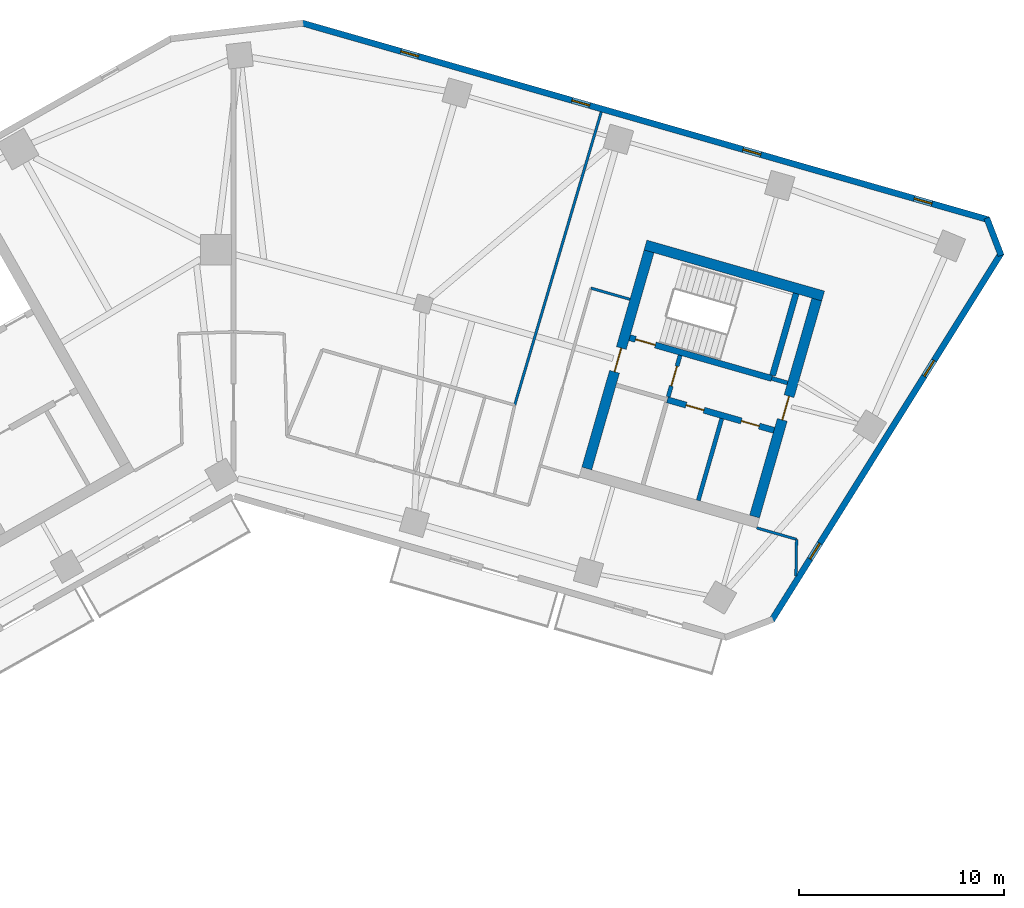
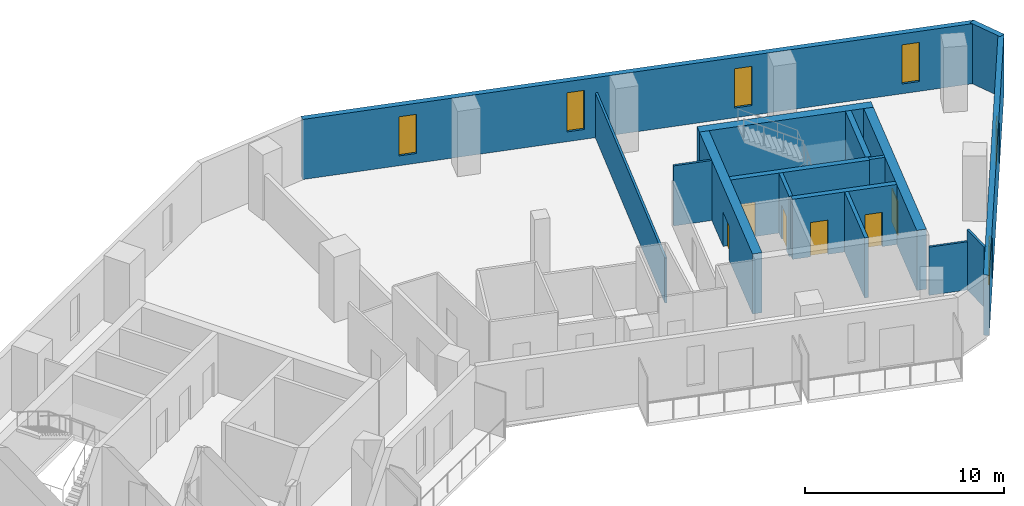
# One storey, part 6 of 9: 16 walls, 6 doors, 6 windows, 12 openings.
"""IFC4 building model written with IfcOpenShell, lengths in metres."""

from ifc_helpers import new_model, si_unit, direction, frame, frame_2d, origin, place, context, subcontext, project, spatial, rectangle, extrude, material, layer, layer_set, type_object, element, fill, save


model = new_model("IFC4")

# Units and contexts
model_context = context("Model", 3, precision=1e-05, world=origin(), true_north=direction((0.0, 1.0)))
body_context = subcontext(model_context, "Body", "Model", "MODEL_VIEW")
ifc_project = project(units=[si_unit("LENGTHUNIT", "METRE"), si_unit("AREAUNIT", "SQUARE_METRE"), si_unit("VOLUMEUNIT", "CUBIC_METRE"), si_unit("PLANEANGLEUNIT", "RADIAN"), si_unit("MASSUNIT", "GRAM", prefix="KILO")], contexts=[model_context])

# Site, building, storey
site_placement = place(None, origin())
site = spatial("IfcSite", under=ifc_project, at=site_placement, CompositionType="ELEMENT")
building_placement = place(site_placement, origin())
building = spatial("IfcBuilding", under=site, at=building_placement, Name="Binnacle Exchange Tower", CompositionType="ELEMENT")
storey_placement = place(building_placement, frame((0.0, 0.0, 174.89990234375)))
storey = spatial("IfcBuildingStorey", under=building, at=storey_placement, Name="L37", CompositionType="ELEMENT", Elevation=174.89990234375)

# Wall
ifc_material_1 = material(Name="Gypsum partition fire rated")
ifc_layer_1 = layer(ifc_material_1, 0.199951171875)
ifc_layer_set_1 = layer_set([ifc_layer_1], Name="Core partition 200")
wall_type_1 = type_object("IfcWallType", Name="Core partition 200", PredefinedType="PARTITIONING", material=ifc_layer_set_1)
wall_1_placement = place(storey_placement, frame((22.63720703125, 47.787353515625, 0.0), z_axis=(0.0, 0.0, 1.0), x_axis=(0.275614546295, 0.961268236171, 0.0)))
element("IfcWall", 1, at=wall_1_placement, inside=storey, type_object=wall_type_1, Name="Core wall CRWD10", PredefinedType="PARTITIONING", context=body_context, shape_type="SweptSolid", body=[
    extrude(rectangle(XDim=4.14990234375, YDim=0.199951171875, at=frame_2d((2.074951171875, 0.0))), origin(), (0.0, 0.0, 1.0), 3.68017578125),
])

# Wall, openings, doors
ifc_material_2 = material(Name="Concrete C70/85", Category="concrete")
ifc_layer_2 = layer(ifc_material_2, 0.300048828125)
ifc_layer_set_2 = layer_set([ifc_layer_2], Name="Core wall - front 300")
wall_type_2 = type_object("IfcWallType", Name="Core wall - front 300", PredefinedType="SOLIDWALL", material=ifc_layer_set_2)
wall_2_placement = place(storey_placement, frame((21.130859375, 52.6923828125, 0.0), z_axis=(0.0, 0.0, 1.0), x_axis=(0.961271043721, -0.27560475414, 0.0)))
wall_2 = element("IfcWall", 2, at=wall_2_placement, inside=storey, type_object=wall_type_2, Name="Core wall CRWD3", PredefinedType="SOLIDWALL", context=body_context, shape_type="SweptSolid", body=[
    extrude(rectangle(XDim=5.400146484375, YDim=0.300048828125, at=frame_2d((2.7001953125, 0.0))), origin(), (0.0, 0.0, 1.0), 3.68017578125),
])
opening_1_placement = place(wall_2_placement, frame((0.949951171875, 0.0, 0.0)))
opening_1 = element("IfcOpeningElement", 3, at=opening_1_placement, cuts=wall_2, Name="Opening DD10", PredefinedType="OPENING", context=body_context, shape_type="SweptSolid", body=[
    extrude(rectangle(XDim=0.89990234375, YDim=2.10009765625, at=frame_2d((0.449951171875, 1.050048828125))), frame((0.0, 0.159912109375, 0.0), z_axis=(0.0, -1.0, 0.0), x_axis=(1.0, 0.0, 0.0)), (0.0, 0.0, 1.0), 0.320068359375),
])
opening_2_placement = place(wall_2_placement, frame((3.75, 0.0, 0.0)))
opening_2 = element("IfcOpeningElement", 4, at=opening_2_placement, cuts=wall_2, Name="Opening DD11", PredefinedType="OPENING", context=body_context, shape_type="SweptSolid", body=[
    extrude(rectangle(XDim=0.89990234375, YDim=2.10009765625, at=frame_2d((0.449951171875, 1.050048828125))), frame((0.0, 0.159912109375, 0.0), z_axis=(0.0, -1.0, 0.0), x_axis=(1.0, 0.0, 0.0)), (0.0, 0.0, 1.0), 0.320068359375),
])
ifc_material_3 = material(Name="Steel door leaf", Category="steel")
door_type_1 = type_object("IfcDoorType", Name="Fire door 900", OperationType="NOTDEFINED", PredefinedType="DOOR", material=ifc_material_3)
door_1_placement = place(opening_1_placement, frame((0.89990234375, 0.0, 0.0), z_axis=(0.0, 0.0, 1.0), x_axis=(-1.0, 0.0, 0.0)))
door_1 = element("IfcDoor", 5, at=door_1_placement, inside=storey, type_object=door_type_1, Name="Core room door IT STORE", OperationType="SINGLE_SWING_RIGHT", OverallHeight=2.10009765625, OverallWidth=0.89990234375, PredefinedType="DOOR", context=body_context, shape_type="SweptSolid", body=[
    extrude(rectangle(XDim=0.89990234375, YDim=2.10009765625, at=frame_2d((0.449951171875, 1.050048828125))), frame((0.0, 0.02490234375, 0.0), z_axis=(0.0, -1.0, 0.0), x_axis=(1.0, 0.0, 0.0)), (0.0, 0.0, 1.0), 0.050048828125),
])
fill(opening_1, door_1)
door_2_placement = place(opening_2_placement, frame((0.89990234375, 0.0, 0.0), z_axis=(0.0, 0.0, 1.0), x_axis=(-1.0, 0.0, 0.0)))
door_2 = element("IfcDoor", 6, at=door_2_placement, inside=storey, type_object=door_type_1, Name="Core room door UPS CUPBOARD", OperationType="SINGLE_SWING_LEFT", OverallHeight=2.10009765625, OverallWidth=0.89990234375, PredefinedType="DOOR", context=body_context, shape_type="SweptSolid", body=[
    extrude(rectangle(XDim=0.89990234375, YDim=2.10009765625, at=frame_2d((0.449951171875, 1.050048828125))), frame((0.0, 0.02490234375, 0.0), z_axis=(0.0, -1.0, 0.0), x_axis=(1.0, 0.0, 0.0)), (0.0, 0.0, 1.0), 0.050048828125),
])
fill(opening_2, door_2)

# Wall
ifc_layer_3 = layer(ifc_material_2, 0.5)
ifc_layer_set_3 = layer_set([ifc_layer_3], Name="Core wall - outer 500")
wall_type_3 = type_object("IfcWallType", Name="Core wall - outer 500", PredefinedType="SOLIDWALL", material=ifc_layer_set_3)
wall_3_placement = place(storey_placement, frame((20.066650390625, 60.227783203125, 0.0), z_axis=(0.0, 0.0, 1.0), x_axis=(0.96126248289, -0.275634611374, 0.0)))
element("IfcWall", 7, at=wall_3_placement, inside=storey, type_object=wall_type_3, Name="Core wall CRWD6", PredefinedType="SOLIDWALL", context=body_context, shape_type="SweptSolid", body=[
    extrude(rectangle(XDim=9.0, YDim=0.5, at=frame_2d((4.5, 0.0))), origin(), (0.0, 0.0, 1.0), 3.68017578125),
])

# Wall, opening, door
wall_4_placement = place(storey_placement, frame((17.2060546875, 49.344482421875, 0.0), z_axis=(0.0, 0.0, 1.0), x_axis=(0.275632651182, 0.961263044958, 0.0)))
wall_4 = element("IfcWall", 8, at=wall_4_placement, inside=storey, type_object=wall_type_3, Name="Core wall CRWD7", PredefinedType="SOLIDWALL", context=body_context, shape_type="SweptSolid", body=[
    extrude(rectangle(XDim=11.0, YDim=0.5, at=frame_2d((5.5, 0.0))), origin(), (0.0, 0.0, 1.0), 3.68017578125),
])
opening_3_placement = place(wall_4_placement, frame((4.89990234375, 0.0, 0.0)))
opening_3 = element("IfcOpeningElement", 9, at=opening_3_placement, cuts=wall_4, Name="Opening DD5", PredefinedType="OPENING", context=body_context, shape_type="SweptSolid", body=[
    extrude(rectangle(XDim=1.199951171875, YDim=2.10009765625, at=frame_2d((0.60009765625, 1.050048828125))), frame((0.0, 0.260009765625, 0.0), z_axis=(0.0, -1.0, 0.0), x_axis=(1.0, 0.0, 0.0)), (0.0, 0.0, 1.0), 0.52001953125),
])
door_type_2 = type_object("IfcDoorType", Name="Fire door 1200", OperationType="NOTDEFINED", PredefinedType="DOOR", material=ifc_material_3)
door_3_placement = place(opening_3_placement, origin())
door_3 = element("IfcDoor", 10, at=door_3_placement, inside=storey, type_object=door_type_2, Name="Vestibule exit door VEST-W", OperationType="SINGLE_SWING_LEFT", OverallHeight=2.10009765625, OverallWidth=1.199951171875, PredefinedType="DOOR", context=body_context, shape_type="SweptSolid", body=[
    extrude(rectangle(XDim=1.199951171875, YDim=2.10009765625, at=frame_2d((0.60009765625, 1.050048828125))), frame((0.0, 0.02490234375, 0.0), z_axis=(0.0, -1.0, 0.0), x_axis=(1.0, 0.0, 0.0)), (0.0, 0.0, 1.0), 0.050048828125),
])
fill(opening_3, door_3)

wall_5_placement = place(storey_placement, frame((25.376708984375, 47.001708984375, 0.0), z_axis=(0.0, 0.0, 1.0), x_axis=(0.275632651182, 0.961263044958, 0.0)))
wall_5 = element("IfcWall", 11, at=wall_5_placement, inside=storey, type_object=wall_type_3, Name="Core wall CRWD12", PredefinedType="SOLIDWALL", context=body_context, shape_type="SweptSolid", body=[
    extrude(rectangle(XDim=11.0, YDim=0.5, at=frame_2d((5.5, 0.0))), origin(), (0.0, 0.0, 1.0), 3.68017578125),
])
opening_4_placement = place(wall_5_placement, frame((4.89990234375, 0.0, 0.0)))
opening_4 = element("IfcOpeningElement", 12, at=opening_4_placement, cuts=wall_5, Name="Opening DD6", PredefinedType="OPENING", context=body_context, shape_type="SweptSolid", body=[
    extrude(rectangle(XDim=1.199951171875, YDim=2.10009765625, at=frame_2d((0.60009765625, 1.050048828125))), frame((0.0, 0.260009765625, 0.0), z_axis=(0.0, -1.0, 0.0), x_axis=(1.0, 0.0, 0.0)), (0.0, 0.0, 1.0), 0.52001953125),
])
door_4_placement = place(opening_4_placement, frame((1.199951171875, 0.0, 0.0), z_axis=(0.0, 0.0, 1.0), x_axis=(-1.0, 0.0, 0.0)))
door_4 = element("IfcDoor", 13, at=door_4_placement, inside=storey, type_object=door_type_2, Name="Core passage exit door", OperationType="SINGLE_SWING_RIGHT", OverallHeight=2.10009765625, OverallWidth=1.199951171875, PredefinedType="DOOR", context=body_context, shape_type="SweptSolid", body=[
    extrude(rectangle(XDim=1.199951171875, YDim=2.10009765625, at=frame_2d((0.60009765625, 1.050048828125))), frame((0.0, 0.02490234375, 0.0), z_axis=(0.0, -1.0, 0.0), x_axis=(1.0, 0.0, 0.0)), (0.0, 0.0, 1.0), 0.050048828125),
])
fill(opening_4, door_4)

ifc_layer_4 = layer(ifc_material_2, 0.300048828125)
ifc_layer_set_4 = layer_set([ifc_layer_4], Name="Core wall - stair 300")
wall_type_4 = type_object("IfcWallType", Name="Core wall - stair 300", PredefinedType="SOLIDWALL", material=ifc_layer_set_4)
wall_6_placement = place(storey_placement, frame((19.293212890625, 55.71630859375, 0.0), z_axis=(0.0, 0.0, 1.0), x_axis=(0.96125862491, -0.275648065539, 0.0)))
wall_6 = element("IfcWall", 14, at=wall_6_placement, inside=storey, type_object=wall_type_4, Name="Core wall CRWD4", PredefinedType="SOLIDWALL", context=body_context, shape_type="SweptSolid", body=[
    extrude(rectangle(XDim=7.199951171875, YDim=0.300048828125, at=frame_2d((3.60009765625, 0.0))), origin(), (0.0, 0.0, 1.0), 3.68017578125),
])
opening_5_placement = place(wall_6_placement, frame((0.300048828125, 0.0, 0.0)))
opening_5 = element("IfcOpeningElement", 15, at=opening_5_placement, cuts=wall_6, Name="Opening DD1", PredefinedType="OPENING", context=body_context, shape_type="SweptSolid", body=[
    extrude(rectangle(XDim=1.0, YDim=2.10009765625, at=frame_2d((0.5, 1.050048828125))), frame((0.0, 0.159912109375, 0.0), z_axis=(0.0, -1.0, 0.0), x_axis=(1.0, 0.0, 0.0)), (0.0, 0.0, 1.0), 0.320068359375),
])
door_type_3 = type_object("IfcDoorType", Name="Fire door 1000", OperationType="NOTDEFINED", PredefinedType="DOOR", material=ifc_material_3)
door_5_placement = place(opening_5_placement, origin())
door_5 = element("IfcDoor", 16, at=door_5_placement, inside=storey, type_object=door_type_3, Name="Stair door ST-D1", OperationType="SINGLE_SWING_LEFT", OverallHeight=2.10009765625, OverallWidth=1.0, PredefinedType="DOOR", context=body_context, shape_type="SweptSolid", body=[
    extrude(rectangle(XDim=1.0, YDim=2.10009765625, at=frame_2d((0.5, 1.050048828125))), frame((0.0, 0.02490234375, 0.0), z_axis=(0.0, -1.0, 0.0), x_axis=(1.0, 0.0, 0.0)), (0.0, 0.0, 1.0), 0.050048828125),
])
fill(opening_5, door_5)

# Wall
wall_7_placement = place(storey_placement, frame((26.255615234375, 53.875732421875, 0.0), z_axis=(0.0, 0.0, 1.0), x_axis=(0.275614546295, 0.961268236171, 0.0)))
element("IfcWall", 17, at=wall_7_placement, inside=storey, type_object=wall_type_4, Name="Core wall CRWD11", PredefinedType="SOLIDWALL", context=body_context, shape_type="SweptSolid", body=[
    extrude(rectangle(XDim=4.14990234375, YDim=0.300048828125, at=frame_2d((2.074951171875, 0.0))), origin(), (0.0, 0.0, 1.0), 3.68017578125),
])

# Wall, openings, windows
ifc_material_4 = material(Name="Bronze aluminium cladding", Category="aluminium")
ifc_layer_5 = layer(ifc_material_4, 0.300048828125)
ifc_layer_set_5 = layer_set([ifc_layer_5], Name="External wall - spandrel 300")
wall_type_5 = type_object("IfcWallType", Name="External wall - spandrel 300", PredefinedType="STANDARD", material=ifc_layer_set_5)
wall_8_placement = place(storey_placement, frame((37.39892578125, 59.850830078125, 0.0), z_axis=(0.0, 0.0, 1.0), x_axis=(-0.529919986982, -0.848047644532, 0.0)))
wall_8 = element("IfcWall", 18, at=wall_8_placement, inside=storey, type_object=wall_type_5, Name="External wall EW-G04 L37", PredefinedType="STANDARD", context=body_context, shape_type="SweptSolid", body=[
    extrude(rectangle(XDim=21.125, YDim=0.300048828125, at=frame_2d((10.5625, 0.0))), origin(), (0.0, 0.0, 1.0), 3.68017578125),
])
opening_6_placement = place(wall_8_placement, frame((16.687255859375, 0.0, 0.60009765625)))
opening_6 = element("IfcOpeningElement", 19, at=opening_6_placement, cuts=wall_8, Name="Opening WS3", PredefinedType="OPENING", context=body_context, shape_type="SweptSolid", body=[
    extrude(rectangle(XDim=0.89990234375, YDim=2.39990234375, at=frame_2d((0.449951171875, 1.199951171875))), frame((0.0, 0.159912109375, 0.0), z_axis=(0.0, -1.0, 0.0), x_axis=(1.0, 0.0, 0.0)), (0.0, 0.0, 1.0), 0.320068359375),
])
opening_7_placement = place(wall_8_placement, frame((6.187255859375, 0.0, 0.60009765625)))
opening_7 = element("IfcOpeningElement", 20, at=opening_7_placement, cuts=wall_8, Name="Opening WS3", PredefinedType="OPENING", context=body_context, shape_type="SweptSolid", body=[
    extrude(rectangle(XDim=0.89990234375, YDim=2.39990234375, at=frame_2d((0.449951171875, 1.199951171875))), frame((0.0, 0.159912109375, 0.0), z_axis=(0.0, -1.0, 0.0), x_axis=(1.0, 0.0, 0.0)), (0.0, 0.0, 1.0), 0.320068359375),
])
ifc_material_5 = material(Name="Bronze anodised aluminium frame", Category="aluminium")
window_type = type_object("IfcWindowType", Name="WS3 WINDOW 900x2400", PartitioningType="SINGLE_PANEL", PredefinedType="WINDOW", material=ifc_material_5)
window_1_placement = place(opening_6_placement, origin())
window_1 = element("IfcWindow", 21, at=window_1_placement, inside=storey, type_object=window_type, Name="Window WS3 L37", OverallHeight=2.39990234375, OverallWidth=0.89990234375, PartitioningType="SINGLE_PANEL", PredefinedType="WINDOW", context=body_context, shape_type="SweptSolid", body=[
    extrude(rectangle(XDim=0.89990234375, YDim=2.39990234375, at=frame_2d((0.449951171875, 1.199951171875))), frame((0.0, 0.030029296875, 0.0), z_axis=(0.0, -1.0, 0.0), x_axis=(1.0, 0.0, 0.0)), (0.0, 0.0, 1.0), 0.06005859375),
])
fill(opening_6, window_1)
window_2_placement = place(opening_7_placement, origin())
window_2 = element("IfcWindow", 22, at=window_2_placement, inside=storey, type_object=window_type, Name="Window WS3 L37", OverallHeight=2.39990234375, OverallWidth=0.89990234375, PartitioningType="SINGLE_PANEL", PredefinedType="WINDOW", context=body_context, shape_type="SweptSolid", body=[
    extrude(rectangle(XDim=0.89990234375, YDim=2.39990234375, at=frame_2d((0.449951171875, 1.199951171875))), frame((0.0, 0.030029296875, 0.0), z_axis=(0.0, -1.0, 0.0), x_axis=(1.0, 0.0, 0.0)), (0.0, 0.0, 1.0), 0.06005859375),
])
fill(opening_7, window_2)

# Wall
wall_9_placement = place(storey_placement, frame((36.685546875, 61.542724609375, 0.0), z_axis=(0.0, 0.0, 1.0), x_axis=(0.358284408222, -0.933612490718, 0.0)))
element("IfcWall", 23, at=wall_9_placement, inside=storey, type_object=wall_type_5, Name="External wall EW-G05 L37", PredefinedType="STANDARD", context=body_context, shape_type="SweptSolid", body=[
    extrude(rectangle(XDim=1.955078125, YDim=0.300048828125, at=frame_2d((0.9775390625, 0.0))), origin(), (0.0, 0.0, 1.0), 3.68017578125),
])

# Wall, openings, windows
wall_10_placement = place(storey_placement, frame((3.33544921875, 71.043701171875, 0.0), z_axis=(0.0, 0.0, 1.0), x_axis=(0.961261395375, -0.275638404002, 0.0)))
wall_10 = element("IfcWall", 24, at=wall_10_placement, inside=storey, type_object=wall_type_5, Name="External wall EW-G06 L37", PredefinedType="STANDARD", context=body_context, shape_type="SweptSolid", body=[
    extrude(rectangle(XDim=34.796630859375, YDim=0.300048828125, at=frame_2d((17.3984375, 0.0))), origin(), (0.0, 0.0, 1.0), 3.68017578125),
])
opening_8_placement = place(wall_10_placement, frame((31.01953125, 0.0, 0.60009765625)))
opening_8 = element("IfcOpeningElement", 25, at=opening_8_placement, cuts=wall_10, Name="Opening WS3", PredefinedType="OPENING", context=body_context, shape_type="SweptSolid", body=[
    extrude(rectangle(XDim=0.89990234375, YDim=2.39990234375, at=frame_2d((0.449951171875, 1.199951171875))), frame((0.0, 0.159912109375, 0.0), z_axis=(0.0, -1.0, 0.0), x_axis=(1.0, 0.0, 0.0)), (0.0, 0.0, 1.0), 0.320068359375),
])
opening_9_placement = place(wall_10_placement, frame((22.3466796875, 0.0, 0.60009765625)))
opening_9 = element("IfcOpeningElement", 26, at=opening_9_placement, cuts=wall_10, Name="Opening WS3", PredefinedType="OPENING", context=body_context, shape_type="SweptSolid", body=[
    extrude(rectangle(XDim=0.89990234375, YDim=2.39990234375, at=frame_2d((0.449951171875, 1.199951171875))), frame((0.0, 0.159912109375, 0.0), z_axis=(0.0, -1.0, 0.0), x_axis=(1.0, 0.0, 0.0)), (0.0, 0.0, 1.0), 0.320068359375),
])
opening_10_placement = place(wall_10_placement, frame((13.673583984375, 0.0, 0.60009765625)))
opening_10 = element("IfcOpeningElement", 27, at=opening_10_placement, cuts=wall_10, Name="Opening WS3", PredefinedType="OPENING", context=body_context, shape_type="SweptSolid", body=[
    extrude(rectangle(XDim=0.89990234375, YDim=2.39990234375, at=frame_2d((0.449951171875, 1.199951171875))), frame((0.0, 0.159912109375, 0.0), z_axis=(0.0, -1.0, 0.0), x_axis=(1.0, 0.0, 0.0)), (0.0, 0.0, 1.0), 0.320068359375),
])
opening_11_placement = place(wall_10_placement, frame((5.000732421875, 0.0, 0.60009765625)))
opening_11 = element("IfcOpeningElement", 28, at=opening_11_placement, cuts=wall_10, Name="Opening WS3", PredefinedType="OPENING", context=body_context, shape_type="SweptSolid", body=[
    extrude(rectangle(XDim=0.89990234375, YDim=2.39990234375, at=frame_2d((0.449951171875, 1.199951171875))), frame((0.0, 0.159912109375, 0.0), z_axis=(0.0, -1.0, 0.0), x_axis=(1.0, 0.0, 0.0)), (0.0, 0.0, 1.0), 0.320068359375),
])
window_3_placement = place(opening_8_placement, origin())
window_3 = element("IfcWindow", 29, at=window_3_placement, inside=storey, type_object=window_type, Name="Window WS3 L37", OverallHeight=2.39990234375, OverallWidth=0.89990234375, PartitioningType="SINGLE_PANEL", PredefinedType="WINDOW", context=body_context, shape_type="SweptSolid", body=[
    extrude(rectangle(XDim=0.89990234375, YDim=2.39990234375, at=frame_2d((0.449951171875, 1.199951171875))), frame((0.0, 0.030029296875, 0.0), z_axis=(0.0, -1.0, 0.0), x_axis=(1.0, 0.0, 0.0)), (0.0, 0.0, 1.0), 0.06005859375),
])
fill(opening_8, window_3)
window_4_placement = place(opening_9_placement, origin())
window_4 = element("IfcWindow", 30, at=window_4_placement, inside=storey, type_object=window_type, Name="Window WS3 L37", OverallHeight=2.39990234375, OverallWidth=0.89990234375, PartitioningType="SINGLE_PANEL", PredefinedType="WINDOW", context=body_context, shape_type="SweptSolid", body=[
    extrude(rectangle(XDim=0.89990234375, YDim=2.39990234375, at=frame_2d((0.449951171875, 1.199951171875))), frame((0.0, 0.030029296875, 0.0), z_axis=(0.0, -1.0, 0.0), x_axis=(1.0, 0.0, 0.0)), (0.0, 0.0, 1.0), 0.06005859375),
])
fill(opening_9, window_4)
window_5_placement = place(opening_10_placement, origin())
window_5 = element("IfcWindow", 31, at=window_5_placement, inside=storey, type_object=window_type, Name="Window WS3 L37", OverallHeight=2.39990234375, OverallWidth=0.89990234375, PartitioningType="SINGLE_PANEL", PredefinedType="WINDOW", context=body_context, shape_type="SweptSolid", body=[
    extrude(rectangle(XDim=0.89990234375, YDim=2.39990234375, at=frame_2d((0.449951171875, 1.199951171875))), frame((0.0, 0.030029296875, 0.0), z_axis=(0.0, -1.0, 0.0), x_axis=(1.0, 0.0, 0.0)), (0.0, 0.0, 1.0), 0.06005859375),
])
fill(opening_10, window_5)
window_6_placement = place(opening_11_placement, origin())
window_6 = element("IfcWindow", 32, at=window_6_placement, inside=storey, type_object=window_type, Name="Window WS3 L37", OverallHeight=2.39990234375, OverallWidth=0.89990234375, PartitioningType="SINGLE_PANEL", PredefinedType="WINDOW", context=body_context, shape_type="SweptSolid", body=[
    extrude(rectangle(XDim=0.89990234375, YDim=2.39990234375, at=frame_2d((0.449951171875, 1.199951171875))), frame((0.0, 0.030029296875, 0.0), z_axis=(0.0, -1.0, 0.0), x_axis=(1.0, 0.0, 0.0)), (0.0, 0.0, 1.0), 0.06005859375),
])
fill(opening_11, window_6)

# Wall, opening, door
ifc_material_6 = material(Name="Masonry block wall", Category="masonry")
ifc_layer_6 = layer(ifc_material_6, 0.199951171875)
ifc_layer_set_6 = layer_set([ifc_layer_6], Name="Fire wall - vestibule 200")
wall_type_6 = type_object("IfcWallType", Name="Fire wall - vestibule 200", PredefinedType="PARTITIONING", material=ifc_layer_set_6)
wall_11_placement = place(storey_placement, frame((21.172119140625, 52.836669921875, 0.0), z_axis=(0.0, 0.0, 1.0), x_axis=(0.275657676022, 0.961255868981, 0.0)))
wall_11 = element("IfcWall", 33, at=wall_11_placement, inside=storey, type_object=wall_type_6, Name="Core wall CRWD9", PredefinedType="PARTITIONING", context=body_context, shape_type="SweptSolid", body=[
    extrude(rectangle(XDim=2.099853515625, YDim=0.199951171875, at=frame_2d((1.0498046875, 0.0))), origin(), (0.0, 0.0, 1.0), 3.68017578125),
])
opening_12_placement = place(wall_11_placement, frame((0.550048828125, 0.0, 0.0)))
opening_12 = element("IfcOpeningElement", 34, at=opening_12_placement, cuts=wall_11, Name="Opening DD3", PredefinedType="OPENING", context=body_context, shape_type="SweptSolid", body=[
    extrude(rectangle(XDim=1.0, YDim=2.10009765625, at=frame_2d((0.5, 1.050048828125))), frame((0.0, 0.10986328125, 0.0), z_axis=(0.0, -1.0, 0.0), x_axis=(1.0, 0.0, 0.0)), (0.0, 0.0, 1.0), 0.219970703125),
])
door_6_placement = place(opening_12_placement, origin())
door_6 = element("IfcDoor", 35, at=door_6_placement, inside=storey, type_object=door_type_3, Name="Vestibule door VEST-W", OperationType="SINGLE_SWING_RIGHT", OverallHeight=2.10009765625, OverallWidth=1.0, PredefinedType="DOOR", context=body_context, shape_type="SweptSolid", body=[
    extrude(rectangle(XDim=1.0, YDim=2.10009765625, at=frame_2d((0.5, 1.050048828125))), frame((0.0, 0.02490234375, 0.0), z_axis=(0.0, -1.0, 0.0), x_axis=(1.0, 0.0, 0.0)), (0.0, 0.0, 1.0), 0.050048828125),
])
fill(opening_12, door_6)

# Walls
ifc_material_7 = material(Name="Gypsum partition")
ifc_layer_7 = layer(ifc_material_7, 0.125)
ifc_layer_set_7 = layer_set([ifc_layer_7], Name="Partition 125")
wall_type_7 = type_object("IfcWallType", Name="Partition 125", PredefinedType="PARTITIONING", material=ifc_layer_set_7)
wall_12_placement = place(storey_placement, frame((13.694091796875, 52.431884765625, 0.0), z_axis=(0.0, 0.0, 1.0), x_axis=(0.28327517645, 0.959038672008, 0.0)))
element("IfcWall", 36, at=wall_12_placement, inside=storey, type_object=wall_type_7, Name="Partition W27", PredefinedType="PARTITIONING", context=body_context, shape_type="SweptSolid", body=[
    extrude(rectangle(XDim=14.885986328125, YDim=0.125, at=frame_2d((7.44287109375, 0.0))), origin(), (0.0, 0.0, 1.0), 2.748046875),
])
wall_13_placement = place(storey_placement, frame((17.408935546875, 58.12890625, 0.0), z_axis=(0.0, 0.0, 1.0), x_axis=(0.961253165474, -0.275667103345, 0.0)))
element("IfcWall", 37, at=wall_13_placement, inside=storey, type_object=wall_type_7, Name="Partition W31", PredefinedType="PARTITIONING", context=body_context, shape_type="SweptSolid", body=[
    extrude(rectangle(XDim=1.976806640625, YDim=0.125, at=frame_2d((0.98828125, 0.0))), origin(), (0.0, 0.0, 1.0), 3.68017578125),
])
wall_14_placement = place(storey_placement, frame((25.47900390625, 46.451904296875, 0.0), z_axis=(0.0, 0.0, 1.0), x_axis=(0.961245725795, -0.275693044238, 0.0)))
element("IfcWall", 38, at=wall_14_placement, inside=storey, type_object=wall_type_7, Name="Partition W32", PredefinedType="PARTITIONING", context=body_context, shape_type="SweptSolid", body=[
    extrude(rectangle(XDim=2.0234375, YDim=0.125, at=frame_2d((1.01171875, 0.0))), origin(), (0.0, 0.0, 1.0), 2.9521484375),
])
wall_15_placement = place(storey_placement, frame((27.39111328125, 44.116943359375, 0.0), z_axis=(0.0, 0.0, 1.0), x_axis=(0.018543314717, 0.999828057958, 0.0)))
element("IfcWall", 39, at=wall_15_placement, inside=storey, type_object=wall_type_7, Name="Partition W33", PredefinedType="PARTITIONING", context=body_context, shape_type="SweptSolid", body=[
    extrude(rectangle(XDim=1.77734375, YDim=0.125, at=frame_2d((0.888671875, 0.0))), origin(), (0.0, 0.0, 1.0), 3.68017578125),
])
ifc_layer_8 = layer(ifc_material_6, 0.199951171875)
ifc_layer_set_8 = layer_set([ifc_layer_8], Name="Riser wall 200")
wall_type_8 = type_object("IfcWallType", Name="Riser wall 200", PredefinedType="SOLIDWALL", material=ifc_layer_set_8)
wall_16_placement = place(storey_placement, frame((26.214111328125, 53.731689453125, 0.0), z_axis=(0.0, 0.0, 1.0), x_axis=(0.961200870072, -0.275849392554, 0.0)))
element("IfcWall", 40, at=wall_16_placement, inside=storey, type_object=wall_type_8, Name="Core wall CRWD5", PredefinedType="SOLIDWALL", context=body_context, shape_type="SweptSolid", body=[
    extrude(rectangle(XDim=0.800048828125, YDim=0.199951171875, at=frame_2d((0.39990234375, 0.0))), origin(), (0.0, 0.0, 1.0), 3.68017578125),
])

save(model, "model.ifc")
